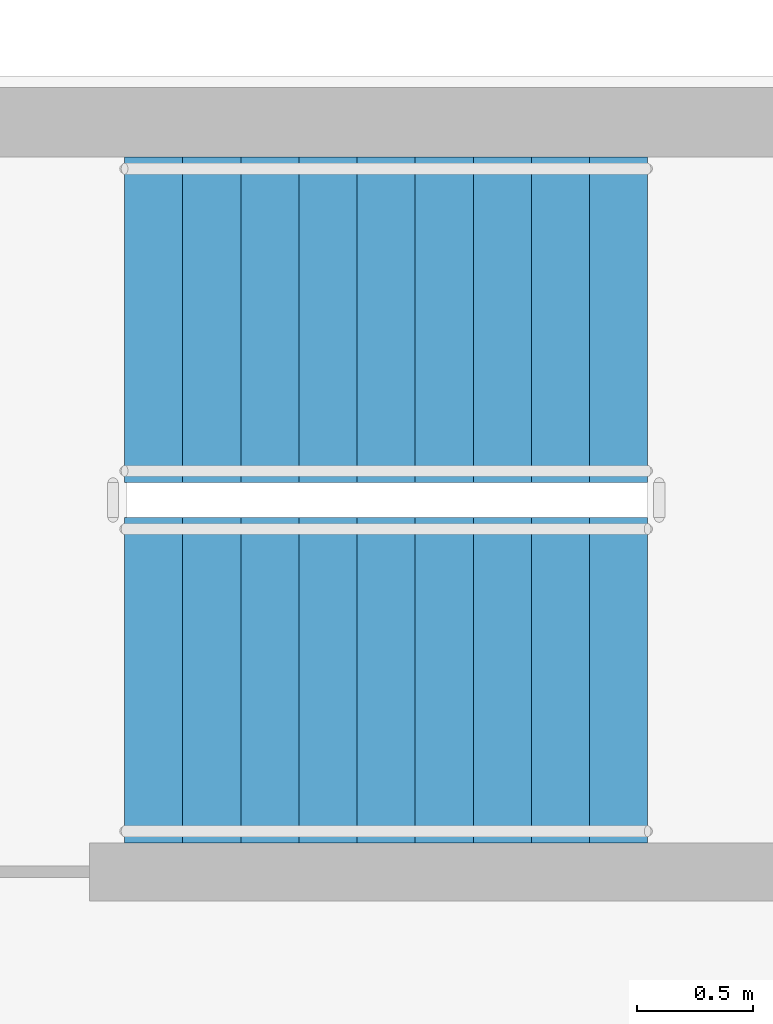
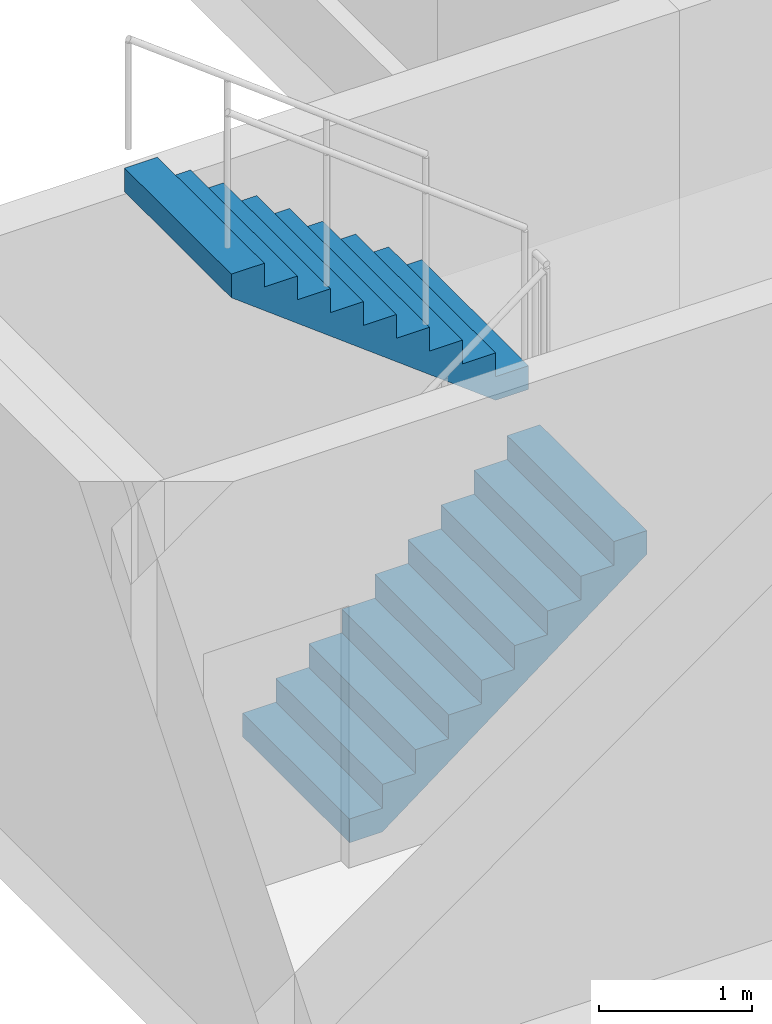
# One storey, part 8 of 12: 2 stair flights, 1 element without a shape of its own.
"""IFC4 building model written with IfcOpenShell, lengths in metres."""

from ifc_helpers import new_model, si_unit, direction, frame, origin, place, context, subcontext, project, spatial, polyline, outline, extrude, source, transform, mapped, material, type_object, element, aggregate, save


model = new_model("IFC4")

# Units and contexts
model_context = context("Model", 3, precision=1e-05, world=origin(), true_north=direction((0.0, 1.0)))
body_context = subcontext(model_context, "Body", "Model", "MODEL_VIEW")
ifc_project = project(units=[si_unit("LENGTHUNIT", "METRE"), si_unit("AREAUNIT", "SQUARE_METRE"), si_unit("VOLUMEUNIT", "CUBIC_METRE"), si_unit("PLANEANGLEUNIT", "RADIAN"), si_unit("MASSUNIT", "GRAM", prefix="KILO")], contexts=[model_context])

# Site, building, storey
site_placement = place(None, origin())
site = spatial("IfcSite", under=ifc_project, at=site_placement, CompositionType="ELEMENT")
building_placement = place(site_placement, origin())
building = spatial("IfcBuilding", under=site, at=building_placement, Name="Aurelian Terraces", CompositionType="ELEMENT")
storey_placement = place(building_placement, frame((0.0, 0.0, 234.8)))
storey = spatial("IfcBuildingStorey", under=building, at=storey_placement, Name="L53", CompositionType="ELEMENT", Elevation=234.8)

# Stair, stair flights
ifc_material = material(Name="Concrete fc' 40 MPa", Category="concrete")
stair_type = type_object("IfcStairType", Name="Stair 1400", PredefinedType="HALF_TURN_STAIR", material=ifc_material)
stair_placement = place(storey_placement, origin())
stair = element("IfcStair", 1, at=stair_placement, inside=storey, type_object=stair_type, Name="L53 S3", PredefinedType="HALF_TURN_STAIR")
stair_flight_type = type_object("IfcStairFlightType", Name="Stair flight 1400", PredefinedType="STRAIGHT", material=ifc_material)
shared_shape = source(origin(), body_context, "Body", "SweptSolid", [
    extrude(outline(polyline([(0.0, 0.0), (0.0, 0.19), (0.25, 0.19), (0.25, 0.38), (0.5, 0.38), (0.5, 0.57), (0.75, 0.57), (0.75, 0.76), (1.0, 0.76), (1.0, 0.95), (1.25, 0.95), (1.25, 1.14), (1.5, 1.14), (1.5, 1.33), (1.75, 1.33), (1.75, 1.52), (2.0, 1.52), (2.0, 1.71), (2.25, 1.71), (2.25, 1.9), (2.25, 1.5216), (0.2479, 0.0), (0.0, 0.0)])), frame((0.0, 0.7, 0.0), z_axis=(0.0, -1.0, 0.0), x_axis=(1.0, 0.0, 0.0)), (0.0, 0.0, 1.0), 1.4),
])
stair_flight_1_placement = place(storey_placement, frame((2.1, 41.35, 2e-08), z_axis=(0.0, 0.0, 1.0), x_axis=(1.0, 0.0, 0.0)))
stair_flight_1 = element("IfcStairFlight", 2, at=stair_flight_1_placement, type_object=stair_flight_type, Name="S3 flight 1", NumberOfRisers=10, NumberOfTreads=9, PredefinedType="STRAIGHT", RiserHeight=0.19, TreadLength=0.25, context=body_context, shape_type="MappedRepresentation", body=[
    mapped(shared_shape, transform((0.0, 0.0, 0.0), scale=1.0)),
])
stair_flight_2_placement = place(storey_placement, frame((4.35, 42.9, 1.9000000199999774), z_axis=(0.0, 0.0, 1.0), x_axis=(-1.0, 0.0, 0.0)))
stair_flight_2 = element("IfcStairFlight", 3, at=stair_flight_2_placement, type_object=stair_flight_type, Name="S3 flight 2", NumberOfRisers=10, NumberOfTreads=9, PredefinedType="STRAIGHT", RiserHeight=0.19, TreadLength=0.25, context=body_context, shape_type="MappedRepresentation", body=[
    mapped(shared_shape, transform((0.0, 0.0, 0.0), scale=1.0)),
])
aggregate(stair, [stair_flight_1, stair_flight_2])

save(model, "model.ifc")
